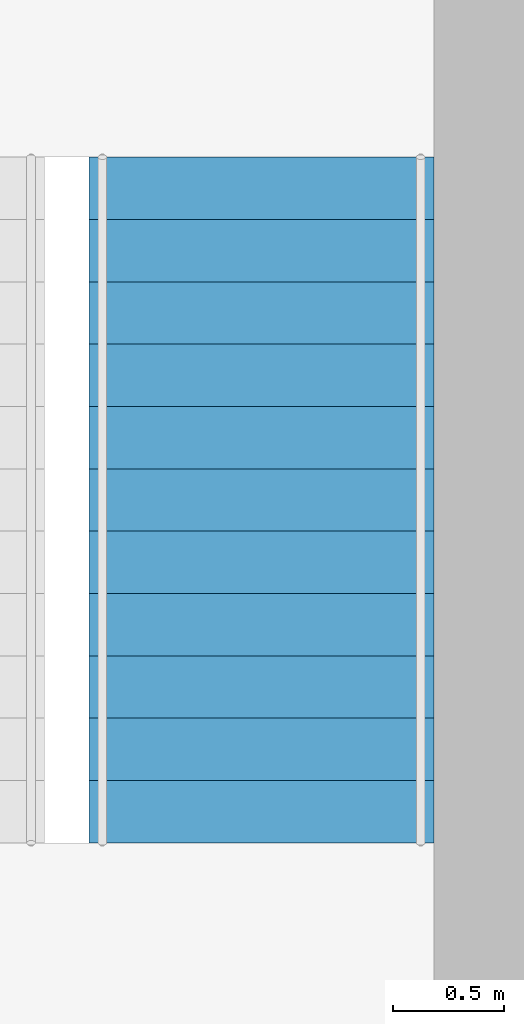
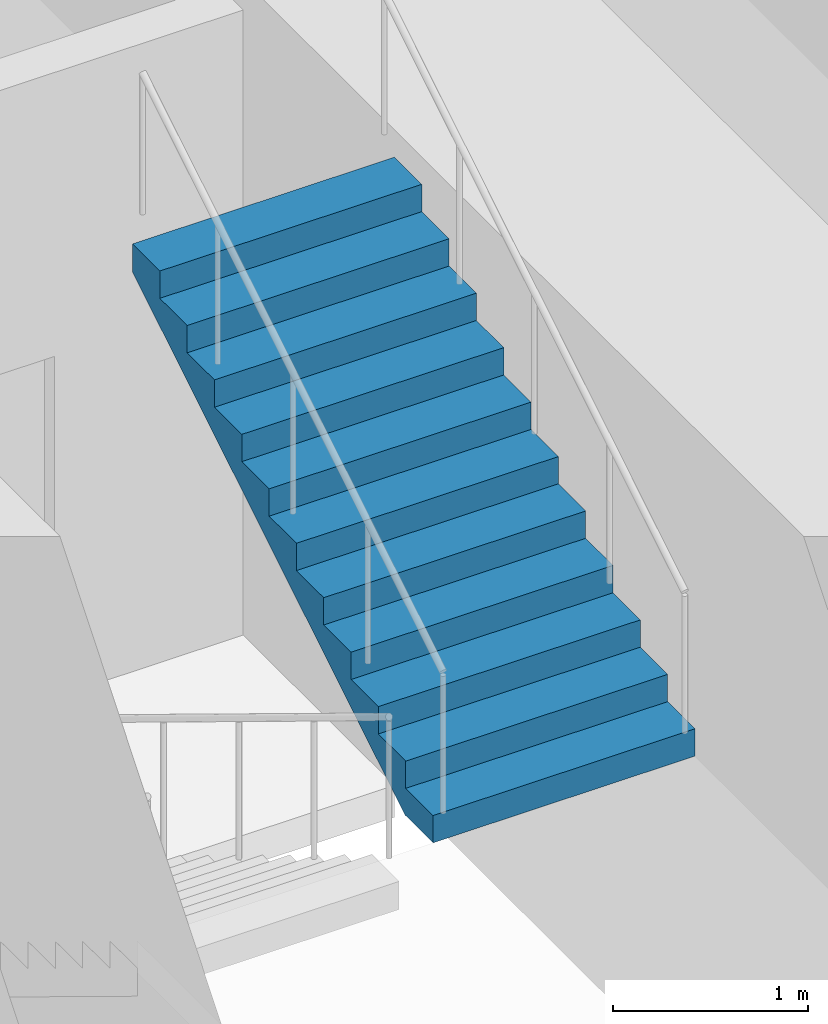
# One storey, part 12 of 14: 1 stair flight, 1 element without a shape of its own.
"""IFC4 building model written with IfcOpenShell, lengths in metres."""

from ifc_helpers import new_model, si_unit, direction, frame, origin, place, context, subcontext, project, spatial, polyline, outline, extrude, material, type_object, element, aggregate, save


model = new_model("IFC4")

# Units and contexts
model_context = context("Model", 3, precision=1e-05, world=origin(), true_north=direction((0.0, 1.0)))
body_context = subcontext(model_context, "Body", "Model", "MODEL_VIEW")
ifc_project = project(units=[si_unit("LENGTHUNIT", "METRE"), si_unit("AREAUNIT", "SQUARE_METRE"), si_unit("VOLUMEUNIT", "CUBIC_METRE"), si_unit("PLANEANGLEUNIT", "RADIAN"), si_unit("MASSUNIT", "GRAM", prefix="KILO")], contexts=[model_context])

# Site, building, storey
site_placement = place(None, origin())
site = spatial("IfcSite", under=ifc_project, at=site_placement, CompositionType="ELEMENT")
building_placement = place(site_placement, origin())
building = spatial("IfcBuilding", under=site, at=building_placement, Name="Trevanion Tower", CompositionType="ELEMENT")
storey_placement = place(building_placement, frame((0.0, 0.0, 100.800048828125)))
storey = spatial("IfcBuildingStorey", under=building, at=storey_placement, Name="L23", CompositionType="ELEMENT", Elevation=100.800048828125)

# Stair, stair flight
ifc_material_1 = material(Name="Concrete 5,000 psi on steel stringers", Category="concrete")
stair_type = type_object("IfcStairType", Name="ST stair", PredefinedType="HALF_TURN_STAIR", material=ifc_material_1)
stair_placement = place(storey_placement, origin())
stair = element("IfcStair", 1, at=stair_placement, inside=storey, type_object=stair_type, Name="ST1 L23", PredefinedType="HALF_TURN_STAIR")
ifc_material_2 = material(Name="Concrete 5,000 psi in steel pan", Category="concrete")
stair_flight_type = type_object("IfcStairFlightType", Name="STF stair flight", PredefinedType="STRAIGHT", material=ifc_material_2)
stair_flight_placement = place(storey_placement, frame((9.47509765625, -1.554931640625, 2.050048828125), z_axis=(0.0, 0.0, 1.0), x_axis=(0.0, 1.0, 0.0)))
stair_flight = element("IfcStairFlight", 2, at=stair_flight_placement, type_object=stair_flight_type, Name="ST1 flight 2", NumberOfRisers=12, NumberOfTreads=11, PredefinedType="STRAIGHT", RiserHeight=0.170833333, TreadLength=0.28, context=body_context, shape_type="SweptSolid", body=[
    extrude(outline(polyline([(0.0, 0.0), (0.0, 0.1708984375), (0.280029296875, 0.1708984375), (0.280029296875, 0.341552734375), (0.56005859375, 0.341552734375), (0.56005859375, 0.512451171875), (0.840087890625, 0.512451171875), (0.840087890625, 0.683349609375), (1.1201171875, 0.683349609375), (1.1201171875, 0.854248046875), (1.39990234375, 0.854248046875), (1.39990234375, 1.02490234375), (1.679931640625, 1.02490234375), (1.679931640625, 1.19580078125), (1.9599609375, 1.19580078125), (1.9599609375, 1.36669921875), (2.239990234375, 1.36669921875), (2.239990234375, 1.53759765625), (2.52001953125, 1.53759765625), (2.52001953125, 1.708251953125), (2.800048828125, 1.708251953125), (2.800048828125, 1.879150390625), (3.080078125, 1.879150390625), (3.080078125, 2.050048828125), (3.080078125, 1.70361328125), (0.287841796875, 0.0), (0.0, 0.0)])), frame((0.0, 0.77490234375, 0.0), z_axis=(0.0, -1.0, 0.0), x_axis=(1.0, 0.0, 0.0)), (0.0, 0.0, 1.0), 1.550048828125),
])
aggregate(stair, [stair_flight])

save(model, "model.ifc")
